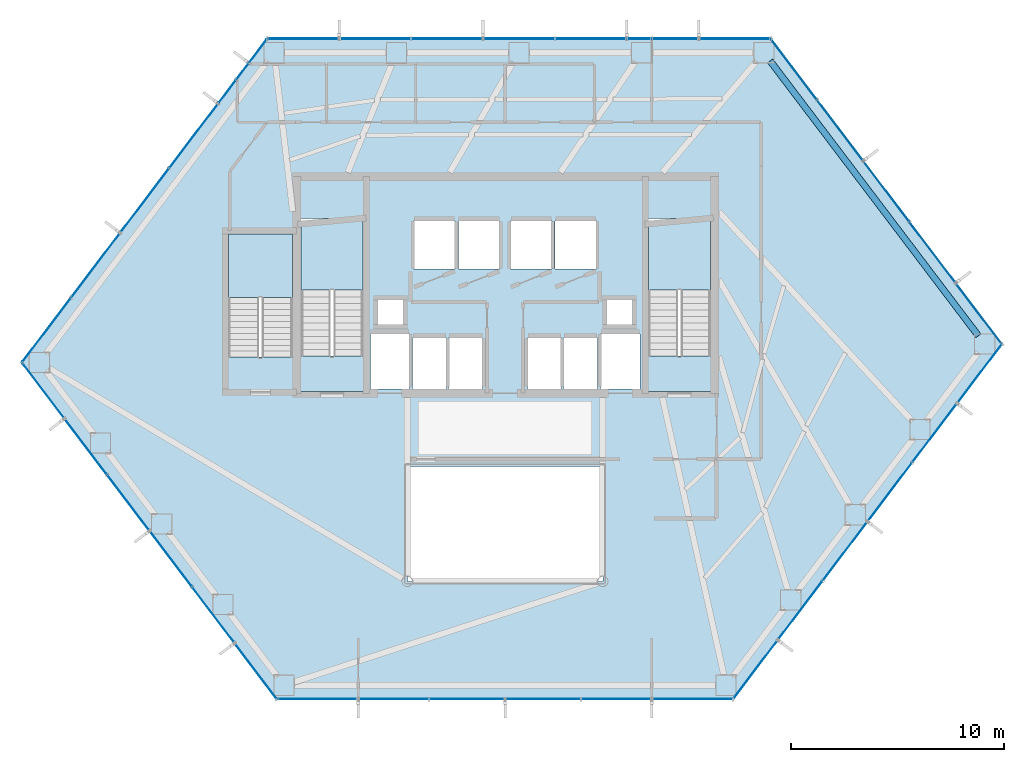
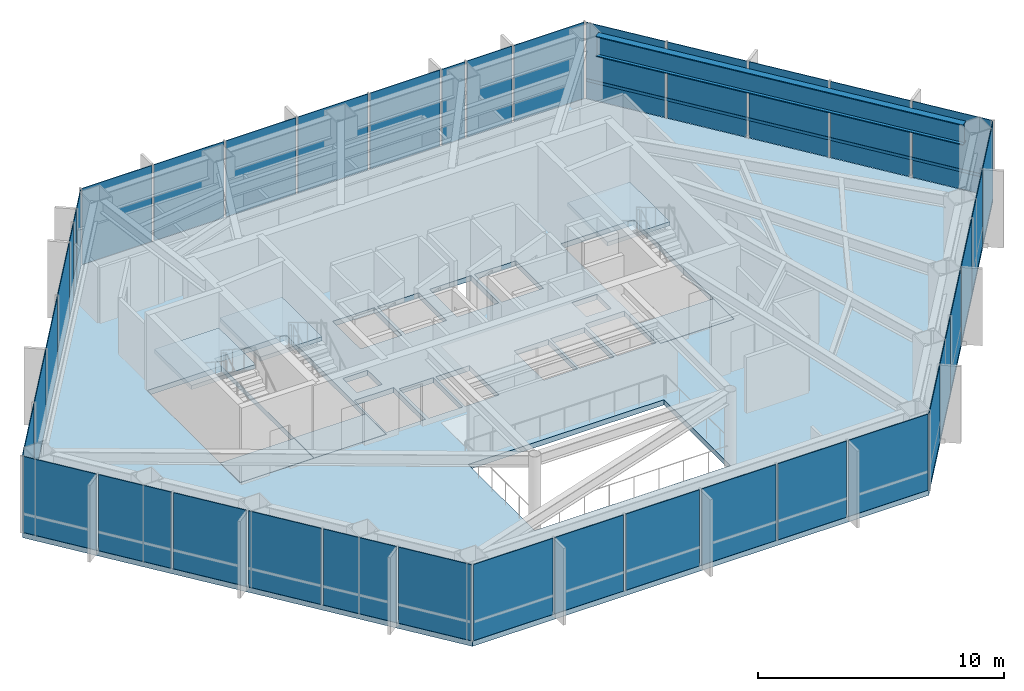
# One storey, part 21 of 25: 38 plates, 7 slabs, 1 beam, 1 member, 9 elements without a shape of their own.
"""IFC4 building model written with IfcOpenShell, lengths in metres."""

from ifc_helpers import new_model, si_unit, direction, frame, origin, origin_2d, place, context, subcontext, project, spatial, polyline, rectangle, hollow_rectangle, i_section, outline, extrude, material, layer, layer_set, material_profile, profile_set, type_object, element, aggregate, save


model = new_model("IFC4")

# Units and contexts
model_context = context("Model", 3, precision=1e-05, world=origin(), true_north=direction((0.0, 1.0)))
body_context = subcontext(model_context, "Body", "Model", "MODEL_VIEW")
ifc_project = project(units=[si_unit("LENGTHUNIT", "METRE"), si_unit("AREAUNIT", "SQUARE_METRE"), si_unit("VOLUMEUNIT", "CUBIC_METRE"), si_unit("PLANEANGLEUNIT", "RADIAN"), si_unit("MASSUNIT", "GRAM", prefix="KILO")], contexts=[model_context])

# Site, building, storey
site_placement = place(None, origin())
site = spatial("IfcSite", under=ifc_project, at=site_placement, CompositionType="ELEMENT")
building_placement = place(site_placement, origin())
building = spatial("IfcBuilding", under=site, at=building_placement, Name="Zarrinselat Tower", CompositionType="ELEMENT")
storey_placement = place(building_placement, frame((0.0, 0.0, 52.02001953125)))
storey = spatial("IfcBuildingStorey", under=building, at=storey_placement, Name="L12", CompositionType="ELEMENT", Elevation=52.02001953125)

# Beam
ifc_material_1 = material(Name="Steel S460M", Category="steel")
ifc_material_profile_1 = material_profile(ifc_material_1, i_section(OverallWidth=0.302001953125, OverallDepth=1.008056640625, WebThickness=0.02099609375, FlangeThickness=0.0400390625, at=origin_2d()), Name="HEM 1000")
ifc_profile_set_1 = profile_set([ifc_material_profile_1], Name="Steel S460M")
beam_type = type_object("IfcBeamType", Name="BM-HEM1000", PredefinedType="BEAM", material=ifc_profile_set_1)
beam_placement = place(storey_placement, frame((50.868896484375, 48.888916015625, 3.31591796875), z_axis=(0.603849576907, -0.797098292853, 0.0), x_axis=(0.797098292853, 0.603849576907, 0.0)))
element("IfcBeam", 1, at=beam_placement, inside=storey, type_object=beam_type, Name="L12 Perimeter Spandrel Girder SP15", PredefinedType="BEAM", context=body_context, shape_type="SweptSolid", body=[
    extrude(i_section(OverallWidth=0.302001953125, OverallDepth=1.008056640625, WebThickness=0.02099609375, FlangeThickness=0.0400390625, at=origin_2d()), origin(), (0.0, 0.0, 1.0), 16.2265625),
])

# Curtain wall, member
ifc_material_2 = material(Name="Extruded Aluminium Alloy EN AW-6063 T6", Category="aluminium")
ifc_layer_1 = layer(ifc_material_2, 0.18505859375)
ifc_layer_set_1 = layer_set([ifc_layer_1], Name="Extruded Aluminium Alloy EN AW-6063 T6")
curtain_wall_type = type_object("IfcCurtainWallType", Name="CWS-OFF", PredefinedType="NOTDEFINED", material=ifc_layer_set_1)
curtain_wall_1_placement = place(storey_placement, origin())
curtain_wall_1 = element("IfcCurtainWall", 2, at=curtain_wall_1_placement, inside=storey, type_object=curtain_wall_type, Name="L12 Unitised Curtain Wall CW-L12-E06", PredefinedType="NOTDEFINED")
ifc_material_3 = material(Name="Extruded Aluminium Alloy EN AW-6063 T6", Category="aluminium")
ifc_material_profile_2 = material_profile(ifc_material_3, hollow_rectangle(XDim=0.06005859375, YDim=0.139892578125, WallThickness=0.00390625, at=origin_2d()), Name="RHS 140x60x4")
ifc_profile_set_2 = profile_set([ifc_material_profile_2], Name="Extruded Aluminium Alloy EN AW-6063 T6")
member_type = type_object("IfcMemberType", Name="MEM-CW-TRN", PredefinedType="USERDEFINED", material=ifc_profile_set_2)
member_placement = place(storey_placement, frame((61.72314453125, 35.6376953125, 0.949951171875), z_axis=(-0.60386243115, 0.797088554833, 0.0), x_axis=(-0.797088554833, -0.60386243115, 0.0)))
member = element("IfcMember", 3, at=member_placement, type_object=member_type, Name="CW-L12-E06 Transom 1", ObjectType="TRANSOM", PredefinedType="USERDEFINED", context=body_context, shape_type="SweptSolid", body=[
    extrude(hollow_rectangle(XDim=0.06005859375, YDim=0.139892578125, WallThickness=0.00390625, at=origin_2d()), origin(), (0.0, 0.0, 1.0), 17.838134765625),
])

# Curtain wall, plates
curtain_wall_2_placement = place(storey_placement, origin())
curtain_wall_2 = element("IfcCurtainWall", 4, at=curtain_wall_2_placement, inside=storey, type_object=curtain_wall_type, Name="L12 Unitised Curtain Wall CW-L12-E01", PredefinedType="NOTDEFINED")
ifc_material_4 = material(Name="Double Low-E Laminated Solar Glass", Category="glass")
ifc_layer_2 = layer(ifc_material_4, 0.031982421875)
ifc_layer_set_2 = layer_set([ifc_layer_2], Name="Double Low-E Laminated Solar Glass")
plate_type = type_object("IfcPlateType", Name="PLT-CW-GL32", PredefinedType="CURTAIN_PANEL", material=ifc_layer_set_2)
plate_1_placement = place(storey_placement, frame((49.205322265625, 49.927734375, 0.02001953125), z_axis=(0.0, 0.0, 1.0), x_axis=(-1.0, 0.0, 0.0)))
plate_1 = element("IfcPlate", 5, at=plate_1_placement, type_object=plate_type, Name="CW-L12-E01 Vision Glass Panel 1", PredefinedType="CURTAIN_PANEL", context=body_context, shape_type="SweptSolid", body=[
    extrude(rectangle(XDim=3.28369140625, YDim=0.031982421875, at=origin_2d()), origin(), (0.0, 0.0, 1.0), 3.780029296875),
])
plate_2_placement = place(storey_placement, frame((46.40673828125, 49.927734375, 0.02001953125), z_axis=(0.0, 0.0, 1.0), x_axis=(-1.0, 0.0, 0.0)))
plate_2 = element("IfcPlate", 6, at=plate_2_placement, type_object=plate_type, Name="CW-L12-E01 Vision Glass Panel 2", PredefinedType="CURTAIN_PANEL", context=body_context, shape_type="SweptSolid", body=[
    extrude(rectangle(XDim=2.113525390625, YDim=0.031982421875, at=origin_2d()), origin(), (0.0, 0.0, 1.0), 3.780029296875),
])
plate_3_placement = place(storey_placement, frame((44.71484375, 49.927734375, 0.02001953125), z_axis=(0.0, 0.0, 1.0), x_axis=(-1.0, 0.0, 0.0)))
plate_3 = element("IfcPlate", 7, at=plate_3_placement, type_object=plate_type, Name="CW-L12-E01 Vision Glass Panel 3", PredefinedType="CURTAIN_PANEL", context=body_context, shape_type="SweptSolid", body=[
    extrude(rectangle(XDim=1.070068359375, YDim=0.031982421875, at=origin_2d()), origin(), (0.0, 0.0, 1.0), 3.780029296875),
])
plate_4_placement = place(storey_placement, frame((42.43798828125, 49.927734375, 0.02001953125), z_axis=(0.0, 0.0, 1.0), x_axis=(-1.0, 0.0, 0.0)))
plate_4 = element("IfcPlate", 8, at=plate_4_placement, type_object=plate_type, Name="CW-L12-E01 Vision Glass Panel 4", PredefinedType="CURTAIN_PANEL", context=body_context, shape_type="SweptSolid", body=[
    extrude(rectangle(XDim=3.28369140625, YDim=0.031982421875, at=origin_2d()), origin(), (0.0, 0.0, 1.0), 3.780029296875),
])
plate_5_placement = place(storey_placement, frame((39.05419921875, 49.927734375, 0.02001953125), z_axis=(0.0, 0.0, 1.0), x_axis=(-1.0, 0.0, 0.0)))
plate_5 = element("IfcPlate", 9, at=plate_5_placement, type_object=plate_type, Name="CW-L12-E01 Vision Glass Panel 5", PredefinedType="CURTAIN_PANEL", context=body_context, shape_type="SweptSolid", body=[
    extrude(rectangle(XDim=3.28369140625, YDim=0.031982421875, at=origin_2d()), origin(), (0.0, 0.0, 1.0), 3.780029296875),
])
plate_6_placement = place(storey_placement, frame((35.670654296875, 49.927734375, 0.02001953125), z_axis=(0.0, 0.0, 1.0), x_axis=(-1.0, 0.0, 0.0)))
plate_6 = element("IfcPlate", 10, at=plate_6_placement, type_object=plate_type, Name="CW-L12-E01 Vision Glass Panel 6", PredefinedType="CURTAIN_PANEL", context=body_context, shape_type="SweptSolid", body=[
    extrude(rectangle(XDim=3.28369140625, YDim=0.031982421875, at=origin_2d()), origin(), (0.0, 0.0, 1.0), 3.780029296875),
])
plate_7_placement = place(storey_placement, frame((32.287109375, 49.927734375, 0.02001953125), z_axis=(0.0, 0.0, 1.0), x_axis=(-1.0, 0.0, 0.0)))
plate_7 = element("IfcPlate", 11, at=plate_7_placement, type_object=plate_type, Name="CW-L12-E01 Vision Glass Panel 7", PredefinedType="CURTAIN_PANEL", context=body_context, shape_type="SweptSolid", body=[
    extrude(rectangle(XDim=3.28369140625, YDim=0.031982421875, at=origin_2d()), origin(), (0.0, 0.0, 1.0), 3.780029296875),
])
plate_8_placement = place(storey_placement, frame((28.9033203125, 49.927734375, 0.02001953125), z_axis=(0.0, 0.0, 1.0), x_axis=(-1.0, 0.0, 0.0)))
plate_8 = element("IfcPlate", 12, at=plate_8_placement, type_object=plate_type, Name="CW-L12-E01 Vision Glass Panel 8", PredefinedType="CURTAIN_PANEL", context=body_context, shape_type="SweptSolid", body=[
    extrude(rectangle(XDim=3.28369140625, YDim=0.031982421875, at=origin_2d()), origin(), (0.0, 0.0, 1.0), 3.780029296875),
])
aggregate(curtain_wall_2, [plate_1, plate_2, plate_3, plate_4, plate_5, plate_6, plate_7, plate_8])

curtain_wall_3_placement = place(storey_placement, origin())
curtain_wall_3 = element("IfcCurtainWall", 13, at=curtain_wall_3_placement, inside=storey, type_object=curtain_wall_type, Name="L12 Unitised Curtain Wall CW-L12-E02", PredefinedType="NOTDEFINED")
plate_9_placement = place(storey_placement, frame((26.779052734375, 49.35693359375, 0.02001953125), z_axis=(0.0, 0.0, 1.0), x_axis=(-0.603859502298, -0.797090773679, 0.0)))
plate_9 = element("IfcPlate", 14, at=plate_9_placement, type_object=plate_type, Name="CW-L12-E02 Vision Glass Panel 1", PredefinedType="CURTAIN_PANEL", context=body_context, shape_type="SweptSolid", body=[
    extrude(rectangle(XDim=1.332275390625, YDim=0.031982421875, at=origin_2d()), origin(), (0.0, 0.0, 1.0), 3.780029296875),
])
plate_10_placement = place(storey_placement, frame((26.04931640625, 48.393798828125, 0.02001953125), z_axis=(0.0, 0.0, 1.0), x_axis=(-0.603859502298, -0.797090773679, 0.0)))
plate_10 = element("IfcPlate", 15, at=plate_10_placement, type_object=plate_type, Name="CW-L12-E02 Vision Glass Panel 2", PredefinedType="CURTAIN_PANEL", context=body_context, shape_type="SweptSolid", body=[
    extrude(rectangle(XDim=0.884521484375, YDim=0.031982421875, at=origin_2d()), origin(), (0.0, 0.0, 1.0), 3.780029296875),
])
plate_11_placement = place(storey_placement, frame((25.328369140625, 47.442138671875, 0.02001953125), z_axis=(0.0, 0.0, 1.0), x_axis=(-0.603859502298, -0.797090773679, 0.0)))
plate_11 = element("IfcPlate", 16, at=plate_11_placement, type_object=plate_type, Name="CW-L12-E02 Vision Glass Panel 3", PredefinedType="CURTAIN_PANEL", context=body_context, shape_type="SweptSolid", body=[
    extrude(rectangle(XDim=1.3037109375, YDim=0.031982421875, at=origin_2d()), origin(), (0.0, 0.0, 1.0), 3.780029296875),
])
plate_12_placement = place(storey_placement, frame((23.751220703125, 45.360107421875, 0.02001953125), z_axis=(0.0, 0.0, 1.0), x_axis=(-0.603859502298, -0.797090773679, 0.0)))
plate_12 = element("IfcPlate", 17, at=plate_12_placement, type_object=plate_type, Name="CW-L12-E02 Vision Glass Panel 4", PredefinedType="CURTAIN_PANEL", context=body_context, shape_type="SweptSolid", body=[
    extrude(rectangle(XDim=3.72021484375, YDim=0.031982421875, at=origin_2d()), origin(), (0.0, 0.0, 1.0), 3.780029296875),
])
plate_13_placement = place(storey_placement, frame((21.444091796875, 42.31494140625, 0.02001953125), z_axis=(0.0, 0.0, 1.0), x_axis=(-0.603859502298, -0.797090773679, 0.0)))
plate_13 = element("IfcPlate", 18, at=plate_13_placement, type_object=plate_type, Name="CW-L12-E02 Vision Glass Panel 5", PredefinedType="CURTAIN_PANEL", context=body_context, shape_type="SweptSolid", body=[
    extrude(rectangle(XDim=3.72021484375, YDim=0.031982421875, at=origin_2d()), origin(), (0.0, 0.0, 1.0), 3.780029296875),
])
plate_14_placement = place(storey_placement, frame((19.13720703125, 39.27001953125, 0.02001953125), z_axis=(0.0, 0.0, 1.0), x_axis=(-0.603859502298, -0.797090773679, 0.0)))
plate_14 = element("IfcPlate", 19, at=plate_14_placement, type_object=plate_type, Name="CW-L12-E02 Vision Glass Panel 6", PredefinedType="CURTAIN_PANEL", context=body_context, shape_type="SweptSolid", body=[
    extrude(rectangle(XDim=3.72021484375, YDim=0.031982421875, at=origin_2d()), origin(), (0.0, 0.0, 1.0), 3.780029296875),
])
plate_15_placement = place(storey_placement, frame((16.830322265625, 36.224853515625, 0.02001953125), z_axis=(0.0, 0.0, 1.0), x_axis=(-0.603859502298, -0.797090773679, 0.0)))
plate_15 = element("IfcPlate", 20, at=plate_15_placement, type_object=plate_type, Name="CW-L12-E02 Vision Glass Panel 7", PredefinedType="CURTAIN_PANEL", context=body_context, shape_type="SweptSolid", body=[
    extrude(rectangle(XDim=3.72021484375, YDim=0.031982421875, at=origin_2d()), origin(), (0.0, 0.0, 1.0), 3.780029296875),
])
aggregate(curtain_wall_3, [plate_9, plate_10, plate_11, plate_12, plate_13, plate_14, plate_15])

curtain_wall_4_placement = place(storey_placement, origin())
curtain_wall_4 = element("IfcCurtainWall", 21, at=curtain_wall_4_placement, inside=storey, type_object=curtain_wall_type, Name="L12 Unitised Curtain Wall CW-L12-E03", PredefinedType="NOTDEFINED")
plate_16_placement = place(storey_placement, frame((16.677001953125, 33.382080078125, 0.02001953125), z_axis=(0.0, 0.0, 1.0), x_axis=(0.603861563254, -0.797089212337, 0.0)))
plate_16 = element("IfcPlate", 22, at=plate_16_placement, type_object=plate_type, Name="CW-L12-E03 Vision Glass Panel 1", PredefinedType="CURTAIN_PANEL", context=body_context, shape_type="SweptSolid", body=[
    extrude(rectangle(XDim=3.212158203125, YDim=0.031982421875, at=origin_2d()), origin(), (0.0, 0.0, 1.0), 3.780029296875),
])
plate_17_placement = place(storey_placement, frame((18.677001953125, 30.7421875, 0.02001953125), z_axis=(0.0, 0.0, 1.0), x_axis=(0.603861563254, -0.797089212337, 0.0)))
plate_17 = element("IfcPlate", 23, at=plate_17_placement, type_object=plate_type, Name="CW-L12-E03 Vision Glass Panel 2", PredefinedType="CURTAIN_PANEL", context=body_context, shape_type="SweptSolid", body=[
    extrude(rectangle(XDim=3.212158203125, YDim=0.031982421875, at=origin_2d()), origin(), (0.0, 0.0, 1.0), 3.780029296875),
])
plate_18_placement = place(storey_placement, frame((20.677001953125, 28.10205078125, 0.02001953125), z_axis=(0.0, 0.0, 1.0), x_axis=(0.603861563254, -0.797089212337, 0.0)))
plate_18 = element("IfcPlate", 24, at=plate_18_placement, type_object=plate_type, Name="CW-L12-E03 Vision Glass Panel 3", PredefinedType="CURTAIN_PANEL", context=body_context, shape_type="SweptSolid", body=[
    extrude(rectangle(XDim=3.212158203125, YDim=0.031982421875, at=origin_2d()), origin(), (0.0, 0.0, 1.0), 3.780029296875),
])
plate_19_placement = place(storey_placement, frame((22.67724609375, 25.4619140625, 0.02001953125), z_axis=(0.0, 0.0, 1.0), x_axis=(0.603861563254, -0.797089212337, 0.0)))
plate_19 = element("IfcPlate", 25, at=plate_19_placement, type_object=plate_type, Name="CW-L12-E03 Vision Glass Panel 4", PredefinedType="CURTAIN_PANEL", context=body_context, shape_type="SweptSolid", body=[
    extrude(rectangle(XDim=3.212158203125, YDim=0.031982421875, at=origin_2d()), origin(), (0.0, 0.0, 1.0), 3.780029296875),
])
plate_20_placement = place(storey_placement, frame((24.67724609375, 22.82177734375, 0.02001953125), z_axis=(0.0, 0.0, 1.0), x_axis=(0.603861563254, -0.797089212337, 0.0)))
plate_20 = element("IfcPlate", 26, at=plate_20_placement, type_object=plate_type, Name="CW-L12-E03 Vision Glass Panel 5", PredefinedType="CURTAIN_PANEL", context=body_context, shape_type="SweptSolid", body=[
    extrude(rectangle(XDim=3.212158203125, YDim=0.031982421875, at=origin_2d()), origin(), (0.0, 0.0, 1.0), 3.780029296875),
])
plate_21_placement = place(storey_placement, frame((26.677490234375, 20.181640625, 0.02001953125), z_axis=(0.0, 0.0, 1.0), x_axis=(0.603861563254, -0.797089212337, 0.0)))
plate_21 = element("IfcPlate", 27, at=plate_21_placement, type_object=plate_type, Name="CW-L12-E03 Vision Glass Panel 6", PredefinedType="CURTAIN_PANEL", context=body_context, shape_type="SweptSolid", body=[
    extrude(rectangle(XDim=3.212158203125, YDim=0.031982421875, at=origin_2d()), origin(), (0.0, 0.0, 1.0), 3.780029296875),
])
aggregate(curtain_wall_4, [plate_16, plate_17, plate_18, plate_19, plate_20, plate_21])

curtain_wall_5_placement = place(storey_placement, origin())
curtain_wall_5 = element("IfcCurtainWall", 28, at=curtain_wall_5_placement, inside=storey, type_object=curtain_wall_type, Name="L12 Unitised Curtain Wall CW-L12-E04", PredefinedType="NOTDEFINED")
plate_22_placement = place(storey_placement, frame((29.588623046875, 18.86181640625, 0.02001953125), z_axis=(0.0, 0.0, 1.0), x_axis=(1.0, 0.0, 0.0)))
plate_22 = element("IfcPlate", 29, at=plate_22_placement, type_object=plate_type, Name="CW-L12-E04 Vision Glass Panel 1", PredefinedType="CURTAIN_PANEL", context=body_context, shape_type="SweptSolid", body=[
    extrude(rectangle(XDim=3.72265625, YDim=0.031982421875, at=origin_2d()), origin(), (0.0, 0.0, 1.0), 3.780029296875),
])
plate_23_placement = place(storey_placement, frame((33.162841796875, 18.86181640625, 0.02001953125), z_axis=(0.0, 0.0, 1.0), x_axis=(1.0, 0.0, 0.0)))
plate_23 = element("IfcPlate", 30, at=plate_23_placement, type_object=plate_type, Name="CW-L12-E04 Vision Glass Panel 2", PredefinedType="CURTAIN_PANEL", context=body_context, shape_type="SweptSolid", body=[
    extrude(rectangle(XDim=3.225830078125, YDim=0.031982421875, at=origin_2d()), origin(), (0.0, 0.0, 1.0), 3.780029296875),
])
plate_24_placement = place(storey_placement, frame((36.61279296875, 18.86181640625, 0.02001953125), z_axis=(0.0, 0.0, 1.0), x_axis=(1.0, 0.0, 0.0)))
plate_24 = element("IfcPlate", 31, at=plate_24_placement, type_object=plate_type, Name="CW-L12-E04 Vision Glass Panel 3", PredefinedType="CURTAIN_PANEL", context=body_context, shape_type="SweptSolid", body=[
    extrude(rectangle(XDim=3.47412109375, YDim=0.031982421875, at=origin_2d()), origin(), (0.0, 0.0, 1.0), 3.780029296875),
])
plate_25_placement = place(storey_placement, frame((40.18701171875, 18.86181640625, 0.02001953125), z_axis=(0.0, 0.0, 1.0), x_axis=(1.0, 0.0, 0.0)))
plate_25 = element("IfcPlate", 32, at=plate_25_placement, type_object=plate_type, Name="CW-L12-E04 Vision Glass Panel 4", PredefinedType="CURTAIN_PANEL", context=body_context, shape_type="SweptSolid", body=[
    extrude(rectangle(XDim=3.47412109375, YDim=0.031982421875, at=origin_2d()), origin(), (0.0, 0.0, 1.0), 3.780029296875),
])
plate_26_placement = place(storey_placement, frame((43.63720703125, 18.86181640625, 0.02001953125), z_axis=(0.0, 0.0, 1.0), x_axis=(1.0, 0.0, 0.0)))
plate_26 = element("IfcPlate", 33, at=plate_26_placement, type_object=plate_type, Name="CW-L12-E04 Vision Glass Panel 5", PredefinedType="CURTAIN_PANEL", context=body_context, shape_type="SweptSolid", body=[
    extrude(rectangle(XDim=3.225830078125, YDim=0.031982421875, at=origin_2d()), origin(), (0.0, 0.0, 1.0), 3.780029296875),
])
plate_27_placement = place(storey_placement, frame((47.211181640625, 18.86181640625, 0.02001953125), z_axis=(0.0, 0.0, 1.0), x_axis=(1.0, 0.0, 0.0)))
plate_27 = element("IfcPlate", 34, at=plate_27_placement, type_object=plate_type, Name="CW-L12-E04 Vision Glass Panel 6", PredefinedType="CURTAIN_PANEL", context=body_context, shape_type="SweptSolid", body=[
    extrude(rectangle(XDim=3.72265625, YDim=0.031982421875, at=origin_2d()), origin(), (0.0, 0.0, 1.0), 3.780029296875),
])
aggregate(curtain_wall_5, [plate_22, plate_23, plate_24, plate_25, plate_26, plate_27])

curtain_wall_6_placement = place(storey_placement, origin())
curtain_wall_6 = element("IfcCurtainWall", 35, at=curtain_wall_6_placement, inside=storey, type_object=curtain_wall_type, Name="L12 Unitised Curtain Wall CW-L12-E05", PredefinedType="NOTDEFINED")
plate_28_placement = place(storey_placement, frame((50.17724609375, 20.253662109375, 0.02001953125), z_axis=(0.0, 0.0, 1.0), x_axis=(0.603860811653, 0.797089781737, 0.0)))
plate_28 = element("IfcPlate", 36, at=plate_28_placement, type_object=plate_type, Name="CW-L12-E05 Vision Glass Panel 1", PredefinedType="CURTAIN_PANEL", context=body_context, shape_type="SweptSolid", body=[
    extrude(rectangle(XDim=3.392578125, YDim=0.031982421875, at=origin_2d()), origin(), (0.0, 0.0, 1.0), 3.780029296875),
])
plate_29_placement = place(storey_placement, frame((52.286376953125, 23.03759765625, 0.02001953125), z_axis=(0.0, 0.0, 1.0), x_axis=(0.603860811653, 0.797089781737, 0.0)))
plate_29 = element("IfcPlate", 37, at=plate_29_placement, type_object=plate_type, Name="CW-L12-E05 Vision Glass Panel 2", PredefinedType="CURTAIN_PANEL", context=body_context, shape_type="SweptSolid", body=[
    extrude(rectangle(XDim=3.392578125, YDim=0.031982421875, at=origin_2d()), origin(), (0.0, 0.0, 1.0), 3.780029296875),
])
plate_30_placement = place(storey_placement, frame((54.3955078125, 25.82177734375, 0.02001953125), z_axis=(0.0, 0.0, 1.0), x_axis=(0.603860811653, 0.797089781737, 0.0)))
plate_30 = element("IfcPlate", 38, at=plate_30_placement, type_object=plate_type, Name="CW-L12-E05 Vision Glass Panel 3", PredefinedType="CURTAIN_PANEL", context=body_context, shape_type="SweptSolid", body=[
    extrude(rectangle(XDim=3.392578125, YDim=0.031982421875, at=origin_2d()), origin(), (0.0, 0.0, 1.0), 3.780029296875),
])
plate_31_placement = place(storey_placement, frame((56.504638671875, 28.605712890625, 0.02001953125), z_axis=(0.0, 0.0, 1.0), x_axis=(0.603860811653, 0.797089781737, 0.0)))
plate_31 = element("IfcPlate", 39, at=plate_31_placement, type_object=plate_type, Name="CW-L12-E05 Vision Glass Panel 4", PredefinedType="CURTAIN_PANEL", context=body_context, shape_type="SweptSolid", body=[
    extrude(rectangle(XDim=3.392578125, YDim=0.031982421875, at=origin_2d()), origin(), (0.0, 0.0, 1.0), 3.780029296875),
])
plate_32_placement = place(storey_placement, frame((58.61376953125, 31.389892578125, 0.02001953125), z_axis=(0.0, 0.0, 1.0), x_axis=(0.603860811653, 0.797089781737, 0.0)))
plate_32 = element("IfcPlate", 40, at=plate_32_placement, type_object=plate_type, Name="CW-L12-E05 Vision Glass Panel 5", PredefinedType="CURTAIN_PANEL", context=body_context, shape_type="SweptSolid", body=[
    extrude(rectangle(XDim=3.392578125, YDim=0.031982421875, at=origin_2d()), origin(), (0.0, 0.0, 1.0), 3.780029296875),
])
plate_33_placement = place(storey_placement, frame((60.722900390625, 34.173828125, 0.02001953125), z_axis=(0.0, 0.0, 1.0), x_axis=(0.603860811653, 0.797089781737, 0.0)))
plate_33 = element("IfcPlate", 41, at=plate_33_placement, type_object=plate_type, Name="CW-L12-E05 Vision Glass Panel 6", PredefinedType="CURTAIN_PANEL", context=body_context, shape_type="SweptSolid", body=[
    extrude(rectangle(XDim=3.392578125, YDim=0.031982421875, at=origin_2d()), origin(), (0.0, 0.0, 1.0), 3.780029296875),
])
aggregate(curtain_wall_6, [plate_28, plate_29, plate_30, plate_31, plate_32, plate_33])

# Plate
plate_34_placement = place(storey_placement, frame((60.689453125, 37.002197265625, 0.02001953125), z_axis=(0.0, 0.0, 1.0), x_axis=(-0.603856726294, 0.797092876715, 0.0)))
plate_34 = element("IfcPlate", 42, at=plate_34_placement, type_object=plate_type, Name="CW-L12-E06 Vision Glass Panel 1", PredefinedType="CURTAIN_PANEL", context=body_context, shape_type="SweptSolid", body=[
    extrude(rectangle(XDim=3.503662109375, YDim=0.031982421875, at=origin_2d()), origin(), (0.0, 0.0, 1.0), 3.780029296875),
])

plate_35_placement = place(storey_placement, frame((58.51318359375, 39.87451171875, 0.02001953125), z_axis=(0.0, 0.0, 1.0), x_axis=(-0.603856726294, 0.797092876715, 0.0)))
plate_35 = element("IfcPlate", 43, at=plate_35_placement, type_object=plate_type, Name="CW-L12-E06 Vision Glass Panel 2", PredefinedType="CURTAIN_PANEL", context=body_context, shape_type="SweptSolid", body=[
    extrude(rectangle(XDim=3.503662109375, YDim=0.031982421875, at=origin_2d()), origin(), (0.0, 0.0, 1.0), 3.780029296875),
])

plate_36_placement = place(storey_placement, frame((56.33740234375, 42.746826171875, 0.02001953125), z_axis=(0.0, 0.0, 1.0), x_axis=(-0.603856726294, 0.797092876715, 0.0)))
plate_36 = element("IfcPlate", 44, at=plate_36_placement, type_object=plate_type, Name="CW-L12-E06 Vision Glass Panel 3", PredefinedType="CURTAIN_PANEL", context=body_context, shape_type="SweptSolid", body=[
    extrude(rectangle(XDim=3.503662109375, YDim=0.031982421875, at=origin_2d()), origin(), (0.0, 0.0, 1.0), 3.780029296875),
])

plate_37_placement = place(storey_placement, frame((54.161376953125, 45.619140625, 0.02001953125), z_axis=(0.0, 0.0, 1.0), x_axis=(-0.603856726294, 0.797092876715, 0.0)))
plate_37 = element("IfcPlate", 45, at=plate_37_placement, type_object=plate_type, Name="CW-L12-E06 Vision Glass Panel 4", PredefinedType="CURTAIN_PANEL", context=body_context, shape_type="SweptSolid", body=[
    extrude(rectangle(XDim=3.503662109375, YDim=0.031982421875, at=origin_2d()), origin(), (0.0, 0.0, 1.0), 3.780029296875),
])

plate_38_placement = place(storey_placement, frame((51.985107421875, 48.49169921875, 0.02001953125), z_axis=(0.0, 0.0, 1.0), x_axis=(-0.603856726294, 0.797092876715, 0.0)))
plate_38 = element("IfcPlate", 46, at=plate_38_placement, type_object=plate_type, Name="CW-L12-E06 Vision Glass Panel 5", PredefinedType="CURTAIN_PANEL", context=body_context, shape_type="SweptSolid", body=[
    extrude(rectangle(XDim=3.503662109375, YDim=0.031982421875, at=origin_2d()), origin(), (0.0, 0.0, 1.0), 3.780029296875),
])

aggregate(curtain_wall_1, [member, plate_34, plate_35, plate_36, plate_37, plate_38])

# Slabs
ifc_material_5 = material(Name="Concrete C40/50", Category="concrete")
ifc_layer_3 = layer(ifc_material_5, 0.260009765625)
ifc_layer_set_3 = layer_set([ifc_layer_3], Name="Concrete C40/50")
slab_type_1 = type_object("IfcSlabType", Name="SLB-FLOOR-260-SL-OF260", PredefinedType="FLOOR", material=ifc_layer_set_3)
slab_1_placement = place(storey_placement, frame((0.0, 0.0, -0.260009765625)))
element("IfcSlab", 47, at=slab_1_placement, inside=storey, type_object=slab_type_1, Name="L12 Primary Structural Slab", PredefinedType="FLOOR", context=body_context, shape_type="SweptSolid", body=[
    extrude(outline(polyline([(50.897216796875, 49.927734375), (27.21142578125, 49.927734375), (15.677001953125, 34.7021484375), (27.677490234375, 18.86181640625), (49.12255859375, 18.86181640625), (61.77734375, 35.56591796875), (50.897216796875, 49.927734375)]), holes=[polyline([(34.050048828125, 33.449951171875), (34.050048828125, 35.85009765625), (35.64990234375, 35.85009765625), (35.64990234375, 33.449951171875), (34.050048828125, 33.449951171875)]), polyline([(35.75, 33.449951171875), (35.75, 35.85009765625), (37.35009765625, 35.85009765625), (37.35009765625, 33.449951171875), (35.75, 33.449951171875)]), polyline([(32.06005859375, 33.449951171875), (32.06005859375, 36.050048828125), (33.89990234375, 36.050048828125), (33.89990234375, 33.449951171875), (32.06005859375, 33.449951171875)]), polyline([(32.419921875, 36.47998046875), (32.419921875, 37.639892578125), (33.60009765625, 37.639892578125), (33.60009765625, 36.47998046875), (32.419921875, 36.47998046875)]), polyline([(28.594970703125, 33.324951171875), (25.114990234375, 33.324951171875), (25.114990234375, 40.875), (28.594970703125, 40.875), (28.594970703125, 33.324951171875)]), polyline([(31.985107421875, 33.324951171875), (28.60498046875, 33.324951171875), (28.60498046875, 41.47509765625), (31.985107421875, 41.47509765625), (31.985107421875, 33.324951171875)]), polyline([(34.10009765625, 39.10009765625), (34.10009765625, 41.35009765625), (36.050048828125, 41.35009765625), (36.050048828125, 39.10009765625), (34.10009765625, 39.10009765625)]), polyline([(36.199951171875, 39.10009765625), (36.199951171875, 41.35009765625), (38.14990234375, 41.35009765625), (38.14990234375, 39.10009765625), (36.199951171875, 39.10009765625)]), polyline([(33.800048828125, 24.39990234375), (33.800048828125, 29.800048828125), (43.0, 29.800048828125), (43.0, 24.39990234375), (33.800048828125, 24.39990234375)]), polyline([(39.449951171875, 33.449951171875), (39.449951171875, 35.85009765625), (41.050048828125, 35.85009765625), (41.050048828125, 33.449951171875), (39.449951171875, 33.449951171875)]), polyline([(41.14990234375, 33.449951171875), (41.14990234375, 35.85009765625), (42.75, 35.85009765625), (42.75, 33.449951171875), (41.14990234375, 33.449951171875)]), polyline([(42.89990234375, 33.449951171875), (42.89990234375, 36.050048828125), (44.739990234375, 36.050048828125), (44.739990234375, 33.449951171875), (42.89990234375, 33.449951171875)]), polyline([(43.199951171875, 36.47998046875), (43.199951171875, 37.639892578125), (44.3798828125, 37.639892578125), (44.3798828125, 36.47998046875), (43.199951171875, 36.47998046875)]), polyline([(48.324951171875, 33.324951171875), (44.875, 33.324951171875), (44.875, 41.47509765625), (48.324951171875, 41.47509765625), (48.324951171875, 33.324951171875)]), polyline([(38.64990234375, 39.10009765625), (38.64990234375, 41.35009765625), (40.60009765625, 41.35009765625), (40.60009765625, 39.10009765625), (38.64990234375, 39.10009765625)]), polyline([(40.75, 39.10009765625), (40.75, 41.35009765625), (42.699951171875, 41.35009765625), (42.699951171875, 39.10009765625), (40.75, 39.10009765625)])]), origin(), (0.0, 0.0, 1.0), 0.260009765625),
])
slab_2_placement = place(storey_placement, frame((0.0, 0.0, -0.260009765625)))
element("IfcSlab", 48, at=slab_2_placement, inside=storey, type_object=slab_type_1, Name="L12 Stair ST-1-FL1 Structural Floor Landing", PredefinedType="FLOOR", context=body_context, shape_type="SweptSolid", body=[
    extrude(outline(polyline([(31.97998046875, 33.330078125), (31.97998046875, 35.0), (28.610107421875, 35.0), (28.610107421875, 33.330078125), (31.97998046875, 33.330078125)])), origin(), (0.0, 0.0, 1.0), 0.260009765625),
])
slab_3_placement = place(storey_placement, frame((0.0, 0.0, -0.260009765625)))
element("IfcSlab", 49, at=slab_3_placement, inside=storey, type_object=slab_type_1, Name="L12 Stair ST-2-FL1 Structural Floor Landing", PredefinedType="FLOOR", context=body_context, shape_type="SweptSolid", body=[
    extrude(outline(polyline([(48.320068359375, 33.330078125), (48.320068359375, 35.0), (44.8798828125, 35.0), (44.8798828125, 33.330078125), (48.320068359375, 33.330078125)])), origin(), (0.0, 0.0, 1.0), 0.260009765625),
])
slab_4_placement = place(storey_placement, frame((0.0, 0.0, -0.260009765625)))
element("IfcSlab", 50, at=slab_4_placement, inside=storey, type_object=slab_type_1, Name="L12 Stair ST-3-FL1 Structural Floor Landing", PredefinedType="FLOOR", context=body_context, shape_type="SweptSolid", body=[
    extrude(outline(polyline([(28.590087890625, 33.330078125), (28.590087890625, 34.949951171875), (25.1201171875, 34.949951171875), (25.1201171875, 33.330078125), (28.590087890625, 33.330078125)])), origin(), (0.0, 0.0, 1.0), 0.260009765625),
])

# Stair, slab
ifc_material_6 = material(Name="Concrete C40/50", Category="concrete")
stair_type_1 = type_object("IfcStairType", Name="STR-CORE-145", PredefinedType="HALF_TURN_STAIR", material=ifc_material_6)
stair_1_placement = place(storey_placement, origin())
stair_1 = element("IfcStair", 51, at=stair_1_placement, inside=storey, type_object=stair_type_1, Name="L12 Podium & Mid-Tower Exit Stair 3", PredefinedType="HALF_TURN_STAIR")
ifc_material_7 = material(Name="Concrete C40/50", Category="concrete")
ifc_layer_4 = layer(ifc_material_7, 0.1650390625)
ifc_layer_set_4 = layer_set([ifc_layer_4], Name="Concrete C40/50")
slab_type_2 = type_object("IfcSlabType", Name="SLB-LND-165", PredefinedType="LANDING", material=ifc_layer_set_4)
slab_5_placement = place(storey_placement, frame((0.0, 0.0, 1.840087890625)))
slab_5 = element("IfcSlab", 52, at=slab_5_placement, type_object=slab_type_2, Name="ST-3 landing 1", PredefinedType="LANDING", context=body_context, shape_type="SweptSolid", body=[
    extrude(outline(polyline([(28.39990234375, 37.75), (28.39990234375, 40.75), (25.3798828125, 40.75), (25.3798828125, 37.75), (28.39990234375, 37.75)])), origin(), (0.0, 0.0, 1.0), 0.199951171875),
])
aggregate(stair_1, [slab_5])

ifc_material_8 = material(Name="Concrete C40/50", Category="concrete")
stair_type_2 = type_object("IfcStairType", Name="STR-CORE-155", PredefinedType="HALF_TURN_STAIR", material=ifc_material_8)
stair_2_placement = place(storey_placement, origin())
stair_2 = element("IfcStair", 53, at=stair_2_placement, inside=storey, type_object=stair_type_2, Name="L12 Core Exit Stair 1", PredefinedType="HALF_TURN_STAIR")
ifc_material_9 = material(Name="Concrete C40/50", Category="concrete")
ifc_layer_5 = layer(ifc_material_9, 0.18994140625)
ifc_layer_set_5 = layer_set([ifc_layer_5], Name="Concrete C40/50")
slab_type_3 = type_object("IfcSlabType", Name="SLB-LND-190", PredefinedType="LANDING", material=ifc_layer_set_5)
slab_6_placement = place(storey_placement, frame((0.0, 0.0, 1.840087890625)))
slab_6 = element("IfcSlab", 54, at=slab_6_placement, type_object=slab_type_3, Name="ST-1 landing 1", PredefinedType="LANDING", context=body_context, shape_type="SweptSolid", body=[
    extrude(outline(polyline([(31.719970703125, 38.10009765625), (31.719970703125, 41.35009765625), (28.800048828125, 41.35009765625), (28.800048828125, 38.10009765625), (31.719970703125, 38.10009765625)])), origin(), (0.0, 0.0, 1.0), 0.199951171875),
])
aggregate(stair_2, [slab_6])

stair_3_placement = place(storey_placement, origin())
stair_3 = element("IfcStair", 55, at=stair_3_placement, inside=storey, type_object=stair_type_2, Name="L12 Core Exit Stair 2", PredefinedType="HALF_TURN_STAIR")
slab_7_placement = place(storey_placement, frame((0.0, 0.0, 1.840087890625)))
slab_7 = element("IfcSlab", 56, at=slab_7_placement, type_object=slab_type_3, Name="ST-2 landing 1", PredefinedType="LANDING", context=body_context, shape_type="SweptSolid", body=[
    extrude(outline(polyline([(48.06005859375, 38.10009765625), (48.06005859375, 41.35009765625), (45.139892578125, 41.35009765625), (45.139892578125, 38.10009765625), (48.06005859375, 38.10009765625)])), origin(), (0.0, 0.0, 1.0), 0.199951171875),
])
aggregate(stair_3, [slab_7])

save(model, "model.ifc")
